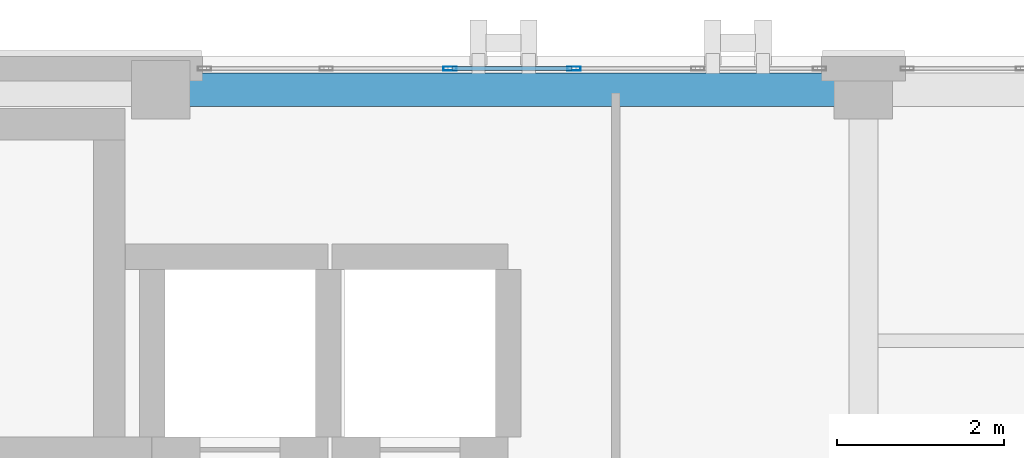
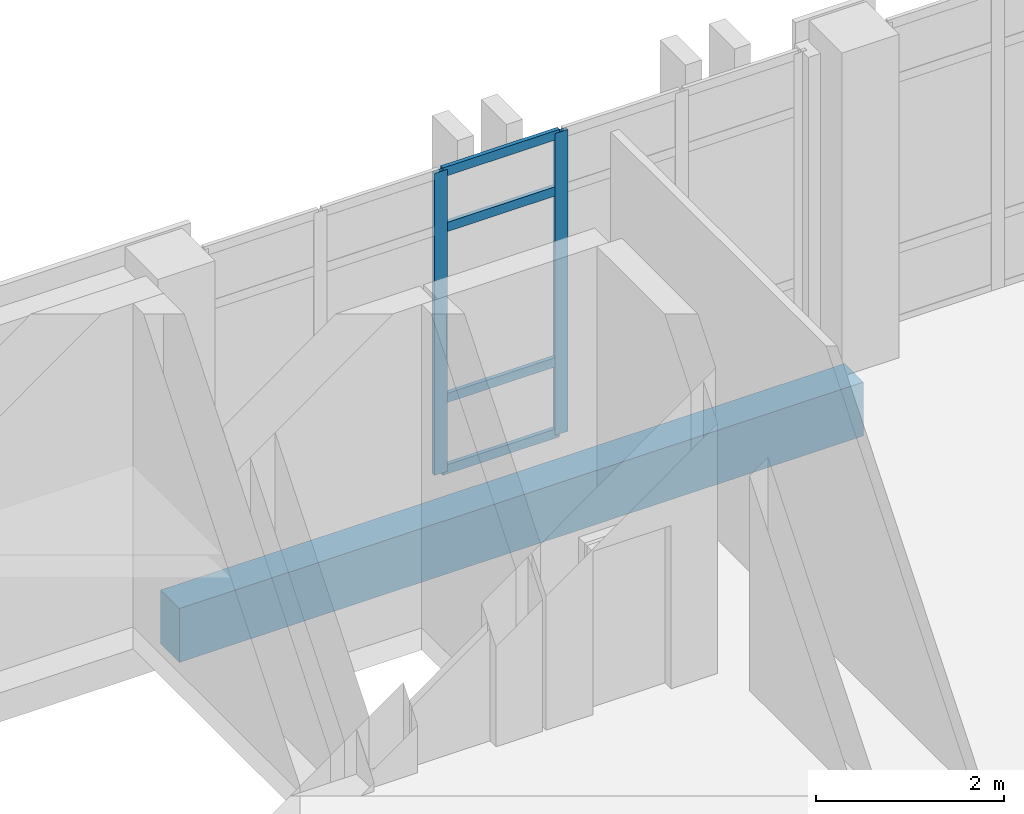
# One storey, part 91 of 165: 6 members, 1 beam, 1 element without a shape of its own.
"""IFC4 building model written with IfcOpenShell, lengths in metres."""

from ifc_helpers import new_model, si_unit, direction, frame, origin, origin_2d, place, context, subcontext, project, spatial, rectangle, hollow_rectangle, extrude, material, layer, layer_set, material_profile, profile_set, type_object, element, aggregate, save


model = new_model("IFC4")

# Units and contexts
model_context = context("Model", 3, precision=1e-05, world=origin(), true_north=direction((0.0, 1.0)))
body_context = subcontext(model_context, "Body", "Model", "MODEL_VIEW")
ifc_project = project(units=[si_unit("LENGTHUNIT", "METRE"), si_unit("AREAUNIT", "SQUARE_METRE"), si_unit("VOLUMEUNIT", "CUBIC_METRE"), si_unit("PLANEANGLEUNIT", "RADIAN"), si_unit("MASSUNIT", "GRAM", prefix="KILO")], contexts=[model_context])

# Site, building, storey
site_placement = place(None, origin())
site = spatial("IfcSite", under=ifc_project, at=site_placement, CompositionType="ELEMENT")
building_placement = place(site_placement, origin())
building = spatial("IfcBuilding", under=site, at=building_placement, Name="Qalavern Law Courts", CompositionType="ELEMENT")
storey_placement = place(building_placement, frame((0.0, 0.0, 14.39990234375)))
storey = spatial("IfcBuildingStorey", under=building, at=storey_placement, Name="L03", CompositionType="ELEMENT", Elevation=14.39990234375)

# Curtain wall, members
ifc_material_1 = material(Name="Anodised aluminium and insulated glazing", Category="aluminium")
ifc_layer = layer(ifc_material_1, 0.166015625)
ifc_layer_set = layer_set([ifc_layer], Name="Anodised aluminium and insulated glazing")
curtain_wall_type = type_object("IfcCurtainWallType", Name="ENV-CW-LIB", PredefinedType="USERDEFINED", material=ifc_layer_set)
curtain_wall_placement = place(storey_placement, origin())
curtain_wall = element("IfcCurtainWall", 1, at=curtain_wall_placement, inside=storey, type_object=curtain_wall_type, Name="V5 unitised curtain wall L03 north 5", ObjectType="UNITISED CURTAIN WALL", PredefinedType="USERDEFINED")
ifc_material_2 = material(Name="Anodised aluminium", Category="aluminium")
ifc_material_profile_1 = material_profile(ifc_material_2, hollow_rectangle(XDim=0.048095703125, YDim=0.159912109375, WallThickness=0.00390625, at=origin_2d()), Name="ALU MULLION 48x160")
ifc_profile_set_1 = profile_set([ifc_material_profile_1], Name="Anodised aluminium")
member_type_1 = type_object("IfcMemberType", Name="ENV-CWM-48x160", PredefinedType="MULLION", material=ifc_profile_set_1)
member_1_placement = place(storey_placement, frame((33.340087890625, 112.8525390625, 0.0), z_axis=(0.0, 0.0, 1.0), x_axis=(0.0, -1.0, 0.0)))
member_1 = element("IfcMember", 2, at=member_1_placement, type_object=member_type_1, Name="CW-05 mullion 3", PredefinedType="MULLION", context=body_context, shape_type="SweptSolid", body=[
    extrude(hollow_rectangle(XDim=0.048095703125, YDim=0.159912109375, WallThickness=0.00390625, at=origin_2d()), origin(), (0.0, 0.0, 1.0), 3.920166015625),
])
member_2_placement = place(storey_placement, frame((31.860107421875, 112.8525390625, 0.0), z_axis=(0.0, 0.0, 1.0), x_axis=(0.0, -1.0, 0.0)))
member_2 = element("IfcMember", 3, at=member_2_placement, type_object=member_type_1, Name="CW-05 mullion 4", PredefinedType="MULLION", context=body_context, shape_type="SweptSolid", body=[
    extrude(hollow_rectangle(XDim=0.048095703125, YDim=0.159912109375, WallThickness=0.00390625, at=origin_2d()), origin(), (0.0, 0.0, 1.0), 3.920166015625),
])
ifc_material_profile_2 = material_profile(ifc_material_2, hollow_rectangle(XDim=0.048095703125, YDim=0.1201171875, WallThickness=0.00390625, at=origin_2d()), Name="ALU TRANSOM 48x120")
ifc_profile_set_2 = profile_set([ifc_material_profile_2], Name="Anodised aluminium")
member_type_2 = type_object("IfcMemberType", Name="ENV-CWT-48x120", PredefinedType="USERDEFINED", material=ifc_profile_set_2)
member_3_placement = place(storey_placement, frame((33.31591796875, 112.8525390625, 0.024169921875), z_axis=(-1.0, 0.0, 0.0), x_axis=(0.0, -1.0, 0.0)))
member_3 = element("IfcMember", 4, at=member_3_placement, type_object=member_type_2, Name="CW-05 transom 3.1", ObjectType="TRANSOM", PredefinedType="USERDEFINED", context=body_context, shape_type="SweptSolid", body=[
    extrude(hollow_rectangle(XDim=0.048095703125, YDim=0.1201171875, WallThickness=0.00390625, at=origin_2d()), origin(), (0.0, 0.0, 1.0), 1.431884765625),
])
member_4_placement = place(storey_placement, frame((33.31591796875, 112.8525390625, 0.9501953125), z_axis=(-1.0, 0.0, 0.0), x_axis=(0.0, -1.0, 0.0)))
member_4 = element("IfcMember", 5, at=member_4_placement, type_object=member_type_2, Name="CW-05 transom 3.2", ObjectType="TRANSOM", PredefinedType="USERDEFINED", context=body_context, shape_type="SweptSolid", body=[
    extrude(hollow_rectangle(XDim=0.048095703125, YDim=0.1201171875, WallThickness=0.00390625, at=origin_2d()), origin(), (0.0, 0.0, 1.0), 1.431884765625),
])
member_5_placement = place(storey_placement, frame((33.31591796875, 112.8525390625, 3.170166015625), z_axis=(-1.0, 0.0, 0.0), x_axis=(0.0, -1.0, 0.0)))
member_5 = element("IfcMember", 6, at=member_5_placement, type_object=member_type_2, Name="CW-05 transom 3.3", ObjectType="TRANSOM", PredefinedType="USERDEFINED", context=body_context, shape_type="SweptSolid", body=[
    extrude(hollow_rectangle(XDim=0.048095703125, YDim=0.1201171875, WallThickness=0.00390625, at=origin_2d()), origin(), (0.0, 0.0, 1.0), 1.431884765625),
])
member_6_placement = place(storey_placement, frame((33.31591796875, 112.8525390625, 3.89599609375), z_axis=(-1.0, 0.0, 0.0), x_axis=(0.0, -1.0, 0.0)))
member_6 = element("IfcMember", 7, at=member_6_placement, type_object=member_type_2, Name="CW-05 transom 3.4", ObjectType="TRANSOM", PredefinedType="USERDEFINED", context=body_context, shape_type="SweptSolid", body=[
    extrude(hollow_rectangle(XDim=0.048095703125, YDim=0.1201171875, WallThickness=0.00390625, at=origin_2d()), origin(), (0.0, 0.0, 1.0), 1.431884765625),
])
aggregate(curtain_wall, [member_1, member_2, member_3, member_4, member_5, member_6])

# Beam
ifc_material_3 = material(Name="Concrete C40/50", Category="concrete")
ifc_material_profile_3 = material_profile(ifc_material_3, rectangle(XDim=0.39990234375, YDim=0.699951171875, at=origin_2d()), Name="RC 400x700")
ifc_profile_set_3 = profile_set([ifc_material_profile_3], Name="Concrete C40/50")
beam_type = type_object("IfcBeamType", Name="STR-SP-RC400x700", PredefinedType="SPANDREL", material=ifc_profile_set_3)
beam_placement = place(storey_placement, frame((28.39990234375, 112.60009765625, -0.635009765625), z_axis=(1.0, 0.0, 0.0), x_axis=(0.0, 1.0, 0.0)))
element("IfcBeam", 8, at=beam_placement, inside=storey, type_object=beam_type, Name="V5 X-beam 3-4 L03", PredefinedType="SPANDREL", context=body_context, shape_type="SweptSolid", body=[
    extrude(rectangle(XDim=0.39990234375, YDim=0.699951171875, at=origin_2d()), origin(), (0.0, 0.0, 1.0), 8.400146484375),
])

save(model, "model.ifc")
